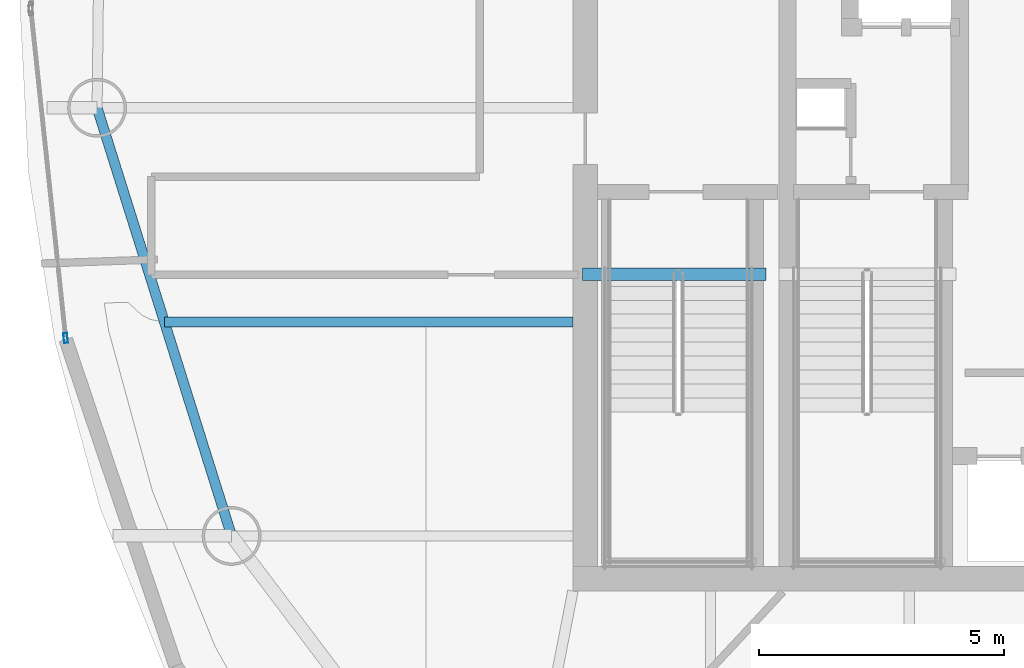
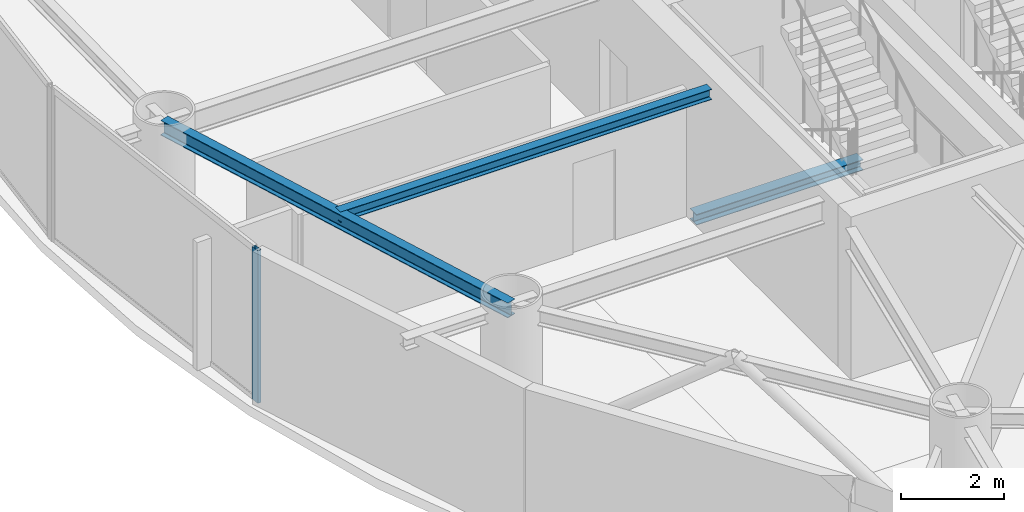
# One storey, part 4 of 20: 3 beams, 1 member, 1 element without a shape of its own.
"""IFC4 building model written with IfcOpenShell, lengths in metres."""

from ifc_helpers import new_model, si_unit, direction, frame, origin, origin_2d, place, context, subcontext, project, spatial, hollow_rectangle, i_section, extrude, material, layer, layer_set, material_profile, profile_set, type_object, element, aggregate, save


model = new_model("IFC4")

# Units and contexts
model_context = context("Model", 3, precision=1e-05, world=origin(), true_north=direction((0.0, 1.0)))
body_context = subcontext(model_context, "Body", "Model", "MODEL_VIEW")
ifc_project = project(units=[si_unit("LENGTHUNIT", "METRE"), si_unit("AREAUNIT", "SQUARE_METRE"), si_unit("VOLUMEUNIT", "CUBIC_METRE"), si_unit("PLANEANGLEUNIT", "RADIAN"), si_unit("MASSUNIT", "GRAM", prefix="KILO")], contexts=[model_context])

# Site, building, storey
site_placement = place(None, origin())
site = spatial("IfcSite", under=ifc_project, at=site_placement, CompositionType="ELEMENT")
building_placement = place(site_placement, origin())
building = spatial("IfcBuilding", under=site, at=building_placement, Name="Bramvorn Convention Spire", CompositionType="ELEMENT")
storey_placement = place(building_placement, frame((0.0, 0.0, 228.949951171875)))
storey = spatial("IfcBuildingStorey", under=building, at=storey_placement, Name="L58", CompositionType="ELEMENT", Elevation=228.949951171875)

# Beams
ifc_material_1 = material(Name="Steel CSA G40.21 Grade 350 (350W)", Category="steel")
ifc_material_profile_1 = material_profile(ifc_material_1, i_section(OverallWidth=0.201904296875, OverallDepth=0.2470703125, WebThickness=0.00732421875, FlangeThickness=0.010986328125, FilletRadius=0.011962890625, at=origin_2d()))
ifc_profile_set_1 = profile_set([ifc_material_profile_1], Name="Steel CSA G40.21 Grade 350 (350W) - W250X49")
beam_type_1 = type_object("IfcBeamType", Name="BM-W250X49", PredefinedType="JOIST", material=ifc_profile_set_1)
beam_1_placement = place(storey_placement, frame((26.75, 24.039794921875, 3.49658203125), z_axis=(-1.0, 0.0, 0.0), x_axis=(0.0, -1.0, 0.0)))
element("IfcBeam", 1, at=beam_1_placement, inside=storey, type_object=beam_type_1, Name="L58 composite floor joist 11", PredefinedType="JOIST", context=body_context, shape_type="SweptSolid", body=[
    extrude(i_section(OverallWidth=0.201904296875, OverallDepth=0.2470703125, WebThickness=0.00732421875, FlangeThickness=0.010986328125, FilletRadius=0.011962890625, at=origin_2d()), origin(), (0.0, 0.0, 1.0), 8.33251953125),
])
ifc_material_profile_2 = material_profile(ifc_material_1, i_section(OverallWidth=0.25390625, OverallDepth=0.2529296875, WebThickness=0.008544921875, FlangeThickness=0.01416015625, FilletRadius=0.011962890625, at=origin_2d()))
ifc_profile_set_2 = profile_set([ifc_material_profile_2], Name="Steel CSA G40.21 Grade 350 (350W) - W250X73")
beam_type_2 = type_object("IfcBeamType", Name="BM-W250X73", PredefinedType="BEAM", material=ifc_profile_set_2)
beam_2_placement = place(storey_placement, frame((26.949951171875, 25.010009765625, -0.12646484375), z_axis=(1.0, 0.0, 0.0), x_axis=(0.0, 1.0, 0.0)))
element("IfcBeam", 2, at=beam_2_placement, inside=storey, type_object=beam_type_2, Name="L58 ST1 stair arrival header beam", PredefinedType="BEAM", context=body_context, shape_type="SweptSolid", body=[
    extrude(i_section(OverallWidth=0.25390625, OverallDepth=0.2529296875, WebThickness=0.008544921875, FlangeThickness=0.01416015625, FilletRadius=0.011962890625, at=origin_2d()), origin(), (0.0, 0.0, 1.0), 3.739990234375),
])
ifc_material_profile_3 = material_profile(ifc_material_1, i_section(OverallWidth=0.205078125, OverallDepth=0.35400390625, WebThickness=0.009521484375, FlangeThickness=0.016845703125, FilletRadius=0.014892578125, at=origin_2d()))
ifc_profile_set_3 = profile_set([ifc_material_profile_3], Name="Steel CSA G40.21 Grade 350 (350W) - W360X79")
beam_type_3 = type_object("IfcBeamType", Name="BM-W360X79", PredefinedType="JOIST", material=ifc_profile_set_3)
beam_3_placement = place(storey_placement, frame((17.04541015625, 28.406494140625, 3.443115234375), z_axis=(0.299747542929, -0.954018558786, 0.0), x_axis=(0.954018558786, 0.299747542929, 0.0)))
element("IfcBeam", 3, at=beam_3_placement, inside=storey, type_object=beam_type_3, Name="L58 mega-column ring beam 11", PredefinedType="JOIST", context=body_context, shape_type="SweptSolid", body=[
    extrude(i_section(OverallWidth=0.205078125, OverallDepth=0.35400390625, WebThickness=0.009521484375, FlangeThickness=0.016845703125, FilletRadius=0.014892578125, at=origin_2d()), origin(), (0.0, 0.0, 1.0), 9.15478515625),
])

# Curtain wall, member
ifc_material_2 = material(Name="Anodised Bronze Unitised Curtain Wall", Category="aluminium")
ifc_layer = layer(ifc_material_2, 0.179931640625)
ifc_layer_set = layer_set([ifc_layer], Name="Anodised Bronze Unitised Curtain Wall - CW-OFF-FRIT")
curtain_wall_type = type_object("IfcCurtainWallType", Name="CW-OFF-FRIT", PredefinedType="USERDEFINED", material=ifc_layer_set)
curtain_wall_placement = place(storey_placement, origin())
curtain_wall = element("IfcCurtainWall", 4, at=curtain_wall_placement, inside=storey, type_object=curtain_wall_type, Name="L58 fritted glass curtain wall 16", ObjectType="UNITISED CURTAIN WALL", PredefinedType="USERDEFINED")
ifc_material_3 = material(Name="Anodised Bronze Aluminium 6063-T6", Category="aluminium")
ifc_material_profile_4 = material_profile(ifc_material_3, hollow_rectangle(XDim=0.080078125, YDim=0.199951171875, WallThickness=0.00390625, InnerFilletRadius=0.0009765625, OuterFilletRadius=0.00390625, at=origin_2d()))
ifc_profile_set_4 = profile_set([ifc_material_profile_4], Name="Anodised Bronze Aluminium 6063-T6 - CWM80X200")
member_type = type_object("IfcMemberType", Name="CW-MUL-180", PredefinedType="MULLION", material=ifc_profile_set_4)
member_placement = place(storey_placement, frame((16.40380859375, 23.708984375, 0.0), z_axis=(0.0, 0.0, 1.0), x_axis=(-0.994435857502, -0.105343843268, 0.0)))
member = element("IfcMember", 5, at=member_placement, type_object=member_type, Name="CW3 mullion 1", PredefinedType="MULLION", context=body_context, shape_type="SweptSolid", body=[
    extrude(hollow_rectangle(XDim=0.080078125, YDim=0.199951171875, WallThickness=0.00390625, InnerFilletRadius=0.0009765625, OuterFilletRadius=0.00390625, at=origin_2d()), origin(), (0.0, 0.0, 1.0), 3.6201171875),
])
aggregate(curtain_wall, [member])

save(model, "model.ifc")
